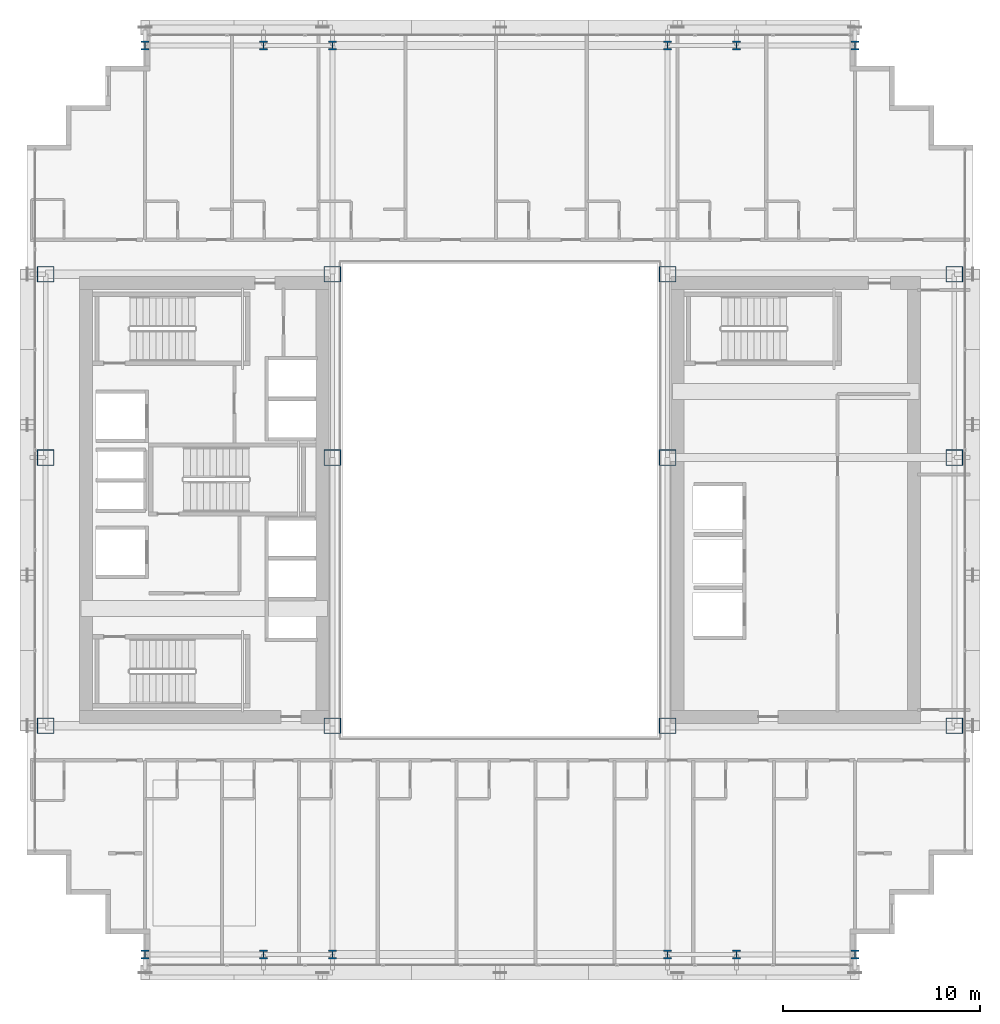
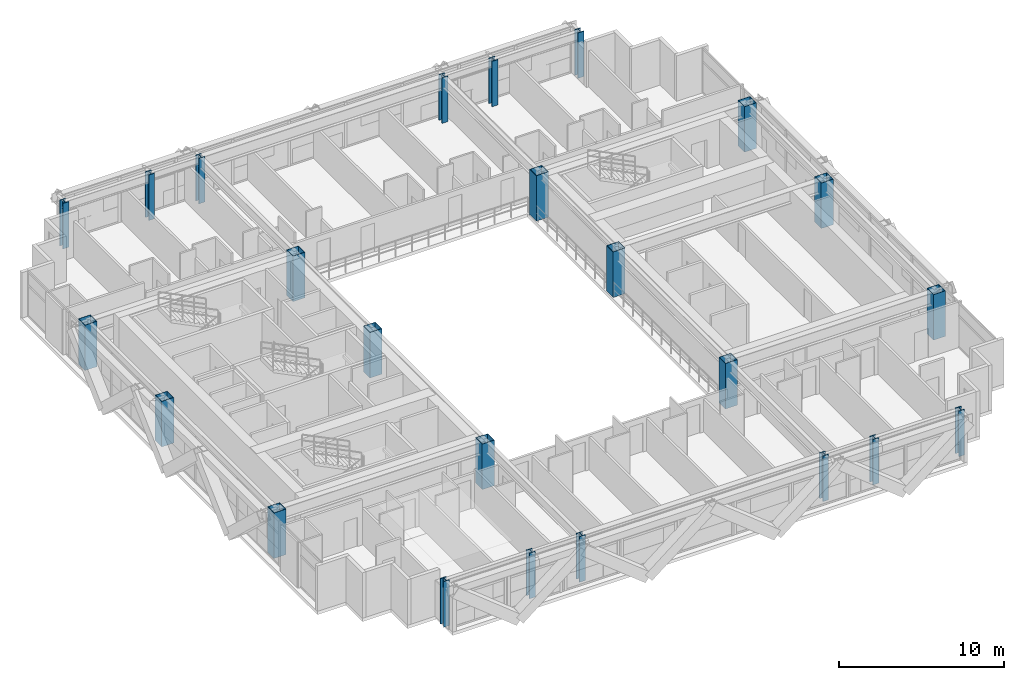
# One storey, part 1 of 36: 24 columns.
"""IFC4 building model written with IfcOpenShell, lengths in metres."""

from ifc_helpers import new_model, si_unit, direction, frame, origin, origin_2d, place, context, subcontext, project, spatial, hollow_rectangle, i_section, extrude, source, transform, mapped, material, material_profile, profile_set, type_object, element, save


model = new_model("IFC4")

# Units and contexts
model_context = context("Model", 3, precision=1e-05, world=origin(), true_north=direction((0.0, 1.0)))
body_context = subcontext(model_context, "Body", "Model", "MODEL_VIEW")
ifc_project = project(units=[si_unit("LENGTHUNIT", "METRE"), si_unit("AREAUNIT", "SQUARE_METRE"), si_unit("VOLUMEUNIT", "CUBIC_METRE"), si_unit("PLANEANGLEUNIT", "RADIAN"), si_unit("MASSUNIT", "GRAM", prefix="KILO")], contexts=[model_context])

# Site, building, storey
site_placement = place(None, origin())
site = spatial("IfcSite", under=ifc_project, at=site_placement, CompositionType="ELEMENT")
building_placement = place(site_placement, origin())
building = spatial("IfcBuilding", under=site, at=building_placement, Name="Ocotamira Hotel", CompositionType="ELEMENT")
storey_placement = place(building_placement, frame((0.0, 0.0, 129.60009765625)))
storey = spatial("IfcBuildingStorey", under=building, at=storey_placement, Name="L32", CompositionType="ELEMENT", Elevation=129.60009765625)

# Columns
ifc_material = material(Name="Steel ASTM A913 Grade 65", Category="steel")
ifc_material_profile_1 = material_profile(ifc_material, hollow_rectangle(XDim=0.85009765625, YDim=0.800048828125, WallThickness=0.031982421875, at=origin_2d()), Name="BOX800X850X32")
ifc_profile_set_1 = profile_set([ifc_material_profile_1], Name="Steel ASTM A913 Grade 65")
column_type_1 = type_object("IfcColumnType", Name="COL-BOX800", PredefinedType="COLUMN", material=ifc_profile_set_1)
shared_shape_1 = source(origin(), body_context, "Body", "SweptSolid", [
    extrude(hollow_rectangle(XDim=0.85009765625, YDim=0.800048828125, WallThickness=0.031982421875, at=origin_2d()), origin(), (0.0, 0.0, 1.0), 3.35986328125),
])
for number, where, z_axis, x_axis, name in (
    (1, (8.949951171875, 14.550048828125, 0.0), (0.0, 0.0, 1.0), (1.0, 0.0, 0.0), "L32 Column TW8_14"),
    (2, (23.5, 14.550048828125, 0.0), (0.0, 0.0, 1.0), (1.0, 0.0, 0.0), "L32 Column TW23_14"),
    (3, (40.5, 14.550048828125, 0.0), (0.0, 0.0, 1.0), (1.0, 0.0, 0.0), "L32 Column TE40_14"),
    (4, (55.050048828125, 14.550048828125, 0.0), (0.0, 0.0, 1.0), (1.0, 0.0, 0.0), "L32 Column TE55_14"),
    (5, (8.949951171875, 28.14990234375, 0.0), (0.0, 0.0, 1.0), (1.0, 0.0, 0.0), "L32 Column TW8_28"),
    (6, (23.5, 28.14990234375, 0.0), (0.0, 0.0, 1.0), (1.0, 0.0, 0.0), "L32 Column TW23_28"),
    (7, (40.5, 28.14990234375, 0.0), (0.0, 0.0, 1.0), (1.0, 0.0, 0.0), "L32 Column TE40_28"),
    (8, (55.050048828125, 28.14990234375, 0.0), (0.0, 0.0, 1.0), (1.0, 0.0, 0.0), "L32 Column TE55_28"),
    (9, (8.949951171875, 37.449951171875, 0.0), (0.0, 0.0, 1.0), (1.0, 0.0, 0.0), "L32 Column TW8_37"),
    (10, (23.5, 37.449951171875, 0.0), (0.0, 0.0, 1.0), (1.0, 0.0, 0.0), "L32 Column TW23_37"),
    (11, (40.5, 37.449951171875, 0.0), (0.0, 0.0, 1.0), (1.0, 0.0, 0.0), "L32 Column TE40_37"),
    (12, (55.050048828125, 37.449951171875, 0.0), (0.0, 0.0, 1.0), (1.0, 0.0, 0.0), "L32 Column TE55_37"),
):
    element("IfcColumn", number, at=place(storey_placement, frame(where, z_axis=z_axis, x_axis=x_axis)), inside=storey, type_object=column_type_1, Name=name, PredefinedType="COLUMN", context=body_context, shape_type="MappedRepresentation", body=[
        mapped(shared_shape_1, transform((0.0, 0.0, 0.0), scale=1.0)),
    ])
ifc_material_profile_2 = material_profile(ifc_material, i_section(OverallWidth=0.412109375, OverallDepth=0.43505859375, WebThickness=0.035888671875, FlangeThickness=0.057373046875, FilletRadius=0.02490234375, at=origin_2d()), Name="W14X311")
ifc_profile_set_2 = profile_set([ifc_material_profile_2], Name="Steel ASTM A913 Grade 65")
column_type_2 = type_object("IfcColumnType", Name="COL-W14X311", PredefinedType="COLUMN", material=ifc_profile_set_2)
shared_shape_2 = source(origin(), body_context, "Body", "SweptSolid", [
    extrude(i_section(OverallWidth=0.412109375, OverallDepth=0.43505859375, WebThickness=0.035888671875, FlangeThickness=0.057373046875, FilletRadius=0.02490234375, at=origin_2d()), origin(), (0.0, 0.0, 1.0), 3.35986328125),
])
for number, where, z_axis, x_axis, name in (
    (13, (14.0, 2.949951171875, 0.0), (0.0, 0.0, 1.0), (1.0, 0.0, 0.0), "L32 Column NSP1_14"),
    (14, (20.0, 2.949951171875, 0.0), (0.0, 0.0, 1.0), (1.0, 0.0, 0.0), "L32 Column NSP1_20"),
    (15, (23.5, 2.949951171875, 0.0), (0.0, 0.0, 1.0), (1.0, 0.0, 0.0), "L32 Column NSP1_23"),
    (16, (40.5, 2.949951171875, 0.0), (0.0, 0.0, 1.0), (1.0, 0.0, 0.0), "L32 Column NSP1_40"),
    (17, (44.0, 2.949951171875, 0.0), (0.0, 0.0, 1.0), (1.0, 0.0, 0.0), "L32 Column NSP1_44"),
    (18, (50.0, 2.949951171875, 0.0), (0.0, 0.0, 1.0), (1.0, 0.0, 0.0), "L32 Column NSP1_50"),
    (19, (14.0, 49.050048828125, 0.0), (0.0, 0.0, 1.0), (1.0, 0.0, 0.0), "L32 Column NSP2_14"),
    (20, (20.0, 49.050048828125, 0.0), (0.0, 0.0, 1.0), (1.0, 0.0, 0.0), "L32 Column NSP2_20"),
    (21, (23.5, 49.050048828125, 0.0), (0.0, 0.0, 1.0), (1.0, 0.0, 0.0), "L32 Column NSP2_23"),
    (22, (40.5, 49.050048828125, 0.0), (0.0, 0.0, 1.0), (1.0, 0.0, 0.0), "L32 Column NSP2_40"),
    (23, (44.0, 49.050048828125, 0.0), (0.0, 0.0, 1.0), (1.0, 0.0, 0.0), "L32 Column NSP2_44"),
    (24, (50.0, 49.050048828125, 0.0), (0.0, 0.0, 1.0), (1.0, 0.0, 0.0), "L32 Column NSP2_50"),
):
    element("IfcColumn", number, at=place(storey_placement, frame(where, z_axis=z_axis, x_axis=x_axis)), inside=storey, type_object=column_type_2, Name=name, PredefinedType="COLUMN", context=body_context, shape_type="MappedRepresentation", body=[
        mapped(shared_shape_2, transform((0.0, 0.0, 0.0), scale=1.0)),
    ])

save(model, "model.ifc")
